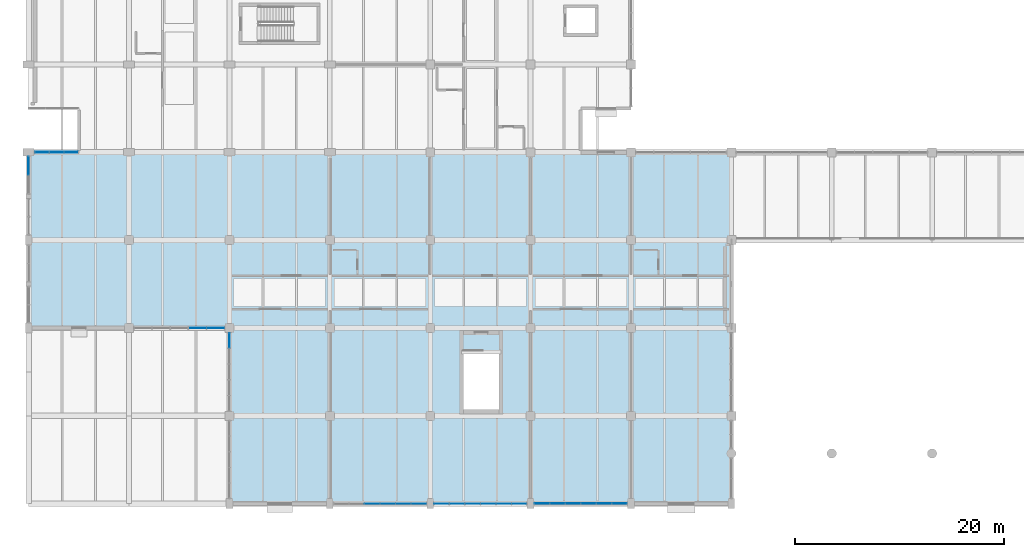
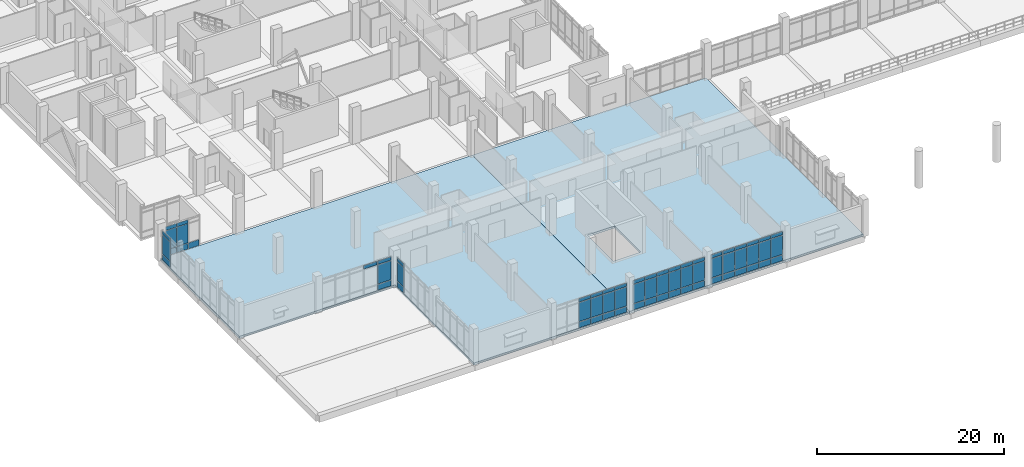
# One storey, part 86 of 152: 65 plates, 2 slabs, 7 elements without a shape of their own.
"""IFC4 building model written with IfcOpenShell, lengths in metres."""

from ifc_helpers import new_model, si_unit, direction, frame, origin, origin_2d, place, context, subcontext, project, spatial, polyline, rectangle, outline, extrude, material, layer, layer_set, type_object, element, aggregate, save


model = new_model("IFC4")

# Units and contexts
model_context = context("Model", 3, precision=1e-05, world=origin(), true_north=direction((0.0, 1.0)))
body_context = subcontext(model_context, "Body", "Model", "MODEL_VIEW")
ifc_project = project(units=[si_unit("LENGTHUNIT", "METRE"), si_unit("AREAUNIT", "SQUARE_METRE"), si_unit("VOLUMEUNIT", "CUBIC_METRE"), si_unit("PLANEANGLEUNIT", "RADIAN"), si_unit("MASSUNIT", "GRAM", prefix="KILO")], contexts=[model_context])

# Site, building, storey
site_placement = place(None, origin())
site = spatial("IfcSite", under=ifc_project, at=site_placement, CompositionType="ELEMENT")
building_placement = place(site_placement, origin())
building = spatial("IfcBuilding", under=site, at=building_placement, Name="Oolite Switchyard Hospital", CompositionType="ELEMENT")
storey_placement = place(building_placement, frame((0.0, 0.0, 5.10009765625)))
storey = spatial("IfcBuildingStorey", under=building, at=storey_placement, Name="L01", CompositionType="ELEMENT", Elevation=5.10009765625)

# Curtain wall, plates
ifc_material_1 = material(Name="Thermally broken aluminum frame with laminated impact glazing", Category="aluminium")
curtain_wall_type_1 = type_object("IfcCurtainWallType", Name="CW-UNIT-96X48", PredefinedType="USERDEFINED", material=ifc_material_1)
curtain_wall_1_placement = place(storey_placement, origin())
curtain_wall_1 = element("IfcCurtainWall", 1, at=curtain_wall_1_placement, inside=storey, type_object=curtain_wall_type_1, Name="L01 Unitised Curtain Wall 97", ObjectType="UNITISED", PredefinedType="USERDEFINED")
ifc_material_2 = material(Name="Insulated fluoropolymer-coated aluminum spandrel panel", Category="aluminium")
ifc_layer_1 = layer(ifc_material_2, 0.054931640625)
ifc_layer_set_1 = layer_set([ifc_layer_1], Name="CW-PNL-SPN55")
plate_type_1 = type_object("IfcPlateType", Name="CW-PNL-SPN55", PredefinedType="CURTAIN_PANEL", material=ifc_layer_set_1)
plate_1_placement = place(storey_placement, frame((56.497802734375, 0.0, 0.07470703125), z_axis=(0.0, 0.0, 1.0), x_axis=(-1.0, 0.0, 0.0)))
plate_1 = element("IfcPlate", 2, at=plate_1_placement, type_object=plate_type_1, Name="CW-02 panel 1.1", PredefinedType="CURTAIN_PANEL", context=body_context, shape_type="SweptSolid", body=[
    extrude(rectangle(XDim=1.374267578125, YDim=0.054931640625, at=origin_2d()), origin(), (0.0, 0.0, 1.0), 0.737548828125),
])
plate_2_placement = place(storey_placement, frame((56.497802734375, 0.0, 0.88720703125), z_axis=(0.0, 0.0, 1.0), x_axis=(-1.0, 0.0, 0.0)))
plate_2 = element("IfcPlate", 3, at=plate_2_placement, type_object=plate_type_1, Name="CW-02 panel 1.2", PredefinedType="CURTAIN_PANEL", context=body_context, shape_type="SweptSolid", body=[
    extrude(rectangle(XDim=1.374267578125, YDim=0.054931640625, at=origin_2d()), origin(), (0.0, 0.0, 1.0), 2.465087890625),
])
plate_3_placement = place(storey_placement, frame((56.497802734375, 0.0, 3.427490234375), z_axis=(0.0, 0.0, 1.0), x_axis=(-1.0, 0.0, 0.0)))
plate_3 = element("IfcPlate", 4, at=plate_3_placement, type_object=plate_type_1, Name="CW-02 panel 1.3", PredefinedType="CURTAIN_PANEL", context=body_context, shape_type="SweptSolid", body=[
    extrude(rectangle(XDim=1.374267578125, YDim=0.054931640625, at=origin_2d()), origin(), (0.0, 0.0, 1.0), 0.4375),
])
plate_4_placement = place(storey_placement, frame((55.030029296875, 0.0, 0.07470703125), z_axis=(0.0, 0.0, 1.0), x_axis=(-1.0, 0.0, 0.0)))
plate_4 = element("IfcPlate", 5, at=plate_4_placement, type_object=plate_type_1, Name="CW-02 panel 2.1", PredefinedType="CURTAIN_PANEL", context=body_context, shape_type="SweptSolid", body=[
    extrude(rectangle(XDim=1.41162109375, YDim=0.054931640625, at=origin_2d()), origin(), (0.0, 0.0, 1.0), 0.737548828125),
])
plate_5_placement = place(storey_placement, frame((55.030029296875, 0.0, 0.88720703125), z_axis=(0.0, 0.0, 1.0), x_axis=(-1.0, 0.0, 0.0)))
plate_5 = element("IfcPlate", 6, at=plate_5_placement, type_object=plate_type_1, Name="CW-02 panel 2.2", PredefinedType="CURTAIN_PANEL", context=body_context, shape_type="SweptSolid", body=[
    extrude(rectangle(XDim=1.41162109375, YDim=0.054931640625, at=origin_2d()), origin(), (0.0, 0.0, 1.0), 2.465087890625),
])
plate_6_placement = place(storey_placement, frame((55.030029296875, 0.0, 3.427490234375), z_axis=(0.0, 0.0, 1.0), x_axis=(-1.0, 0.0, 0.0)))
plate_6 = element("IfcPlate", 7, at=plate_6_placement, type_object=plate_type_1, Name="CW-02 panel 2.3", PredefinedType="CURTAIN_PANEL", context=body_context, shape_type="SweptSolid", body=[
    extrude(rectangle(XDim=1.41162109375, YDim=0.054931640625, at=origin_2d()), origin(), (0.0, 0.0, 1.0), 0.4375),
])
plate_7_placement = place(storey_placement, frame((53.543212890625, 0.0, 0.07470703125), z_axis=(0.0, 0.0, 1.0), x_axis=(-1.0, 0.0, 0.0)))
plate_7 = element("IfcPlate", 8, at=plate_7_placement, type_object=plate_type_1, Name="CW-02 panel 3.1", PredefinedType="CURTAIN_PANEL", context=body_context, shape_type="SweptSolid", body=[
    extrude(rectangle(XDim=1.41162109375, YDim=0.054931640625, at=origin_2d()), origin(), (0.0, 0.0, 1.0), 0.737548828125),
])
plate_8_placement = place(storey_placement, frame((53.543212890625, 0.0, 0.88720703125), z_axis=(0.0, 0.0, 1.0), x_axis=(-1.0, 0.0, 0.0)))
plate_8 = element("IfcPlate", 9, at=plate_8_placement, type_object=plate_type_1, Name="CW-02 panel 3.2", PredefinedType="CURTAIN_PANEL", context=body_context, shape_type="SweptSolid", body=[
    extrude(rectangle(XDim=1.41162109375, YDim=0.054931640625, at=origin_2d()), origin(), (0.0, 0.0, 1.0), 2.465087890625),
])
plate_9_placement = place(storey_placement, frame((53.543212890625, 0.0, 3.427490234375), z_axis=(0.0, 0.0, 1.0), x_axis=(-1.0, 0.0, 0.0)))
plate_9 = element("IfcPlate", 10, at=plate_9_placement, type_object=plate_type_1, Name="CW-02 panel 3.3", PredefinedType="CURTAIN_PANEL", context=body_context, shape_type="SweptSolid", body=[
    extrude(rectangle(XDim=1.41162109375, YDim=0.054931640625, at=origin_2d()), origin(), (0.0, 0.0, 1.0), 0.4375),
])
plate_10_placement = place(storey_placement, frame((52.056640625, 0.0, 0.07470703125), z_axis=(0.0, 0.0, 1.0), x_axis=(-1.0, 0.0, 0.0)))
plate_10 = element("IfcPlate", 11, at=plate_10_placement, type_object=plate_type_1, Name="CW-02 panel 4.1", PredefinedType="CURTAIN_PANEL", context=body_context, shape_type="SweptSolid", body=[
    extrude(rectangle(XDim=1.41162109375, YDim=0.054931640625, at=origin_2d()), origin(), (0.0, 0.0, 1.0), 0.737548828125),
])
plate_11_placement = place(storey_placement, frame((52.056640625, 0.0, 0.88720703125), z_axis=(0.0, 0.0, 1.0), x_axis=(-1.0, 0.0, 0.0)))
plate_11 = element("IfcPlate", 12, at=plate_11_placement, type_object=plate_type_1, Name="CW-02 panel 4.2", PredefinedType="CURTAIN_PANEL", context=body_context, shape_type="SweptSolid", body=[
    extrude(rectangle(XDim=1.41162109375, YDim=0.054931640625, at=origin_2d()), origin(), (0.0, 0.0, 1.0), 2.465087890625),
])
plate_12_placement = place(storey_placement, frame((52.056640625, 0.0, 3.427490234375), z_axis=(0.0, 0.0, 1.0), x_axis=(-1.0, 0.0, 0.0)))
plate_12 = element("IfcPlate", 13, at=plate_12_placement, type_object=plate_type_1, Name="CW-02 panel 4.3", PredefinedType="CURTAIN_PANEL", context=body_context, shape_type="SweptSolid", body=[
    extrude(rectangle(XDim=1.41162109375, YDim=0.054931640625, at=origin_2d()), origin(), (0.0, 0.0, 1.0), 0.4375),
])
plate_13_placement = place(storey_placement, frame((50.570068359375, 0.0, 0.07470703125), z_axis=(0.0, 0.0, 1.0), x_axis=(-1.0, 0.0, 0.0)))
plate_13 = element("IfcPlate", 14, at=plate_13_placement, type_object=plate_type_1, Name="CW-02 panel 5.1", PredefinedType="CURTAIN_PANEL", context=body_context, shape_type="SweptSolid", body=[
    extrude(rectangle(XDim=1.41162109375, YDim=0.054931640625, at=origin_2d()), origin(), (0.0, 0.0, 1.0), 0.737548828125),
])
plate_14_placement = place(storey_placement, frame((50.570068359375, 0.0, 0.88720703125), z_axis=(0.0, 0.0, 1.0), x_axis=(-1.0, 0.0, 0.0)))
plate_14 = element("IfcPlate", 15, at=plate_14_placement, type_object=plate_type_1, Name="CW-02 panel 5.2", PredefinedType="CURTAIN_PANEL", context=body_context, shape_type="SweptSolid", body=[
    extrude(rectangle(XDim=1.41162109375, YDim=0.054931640625, at=origin_2d()), origin(), (0.0, 0.0, 1.0), 2.465087890625),
])
plate_15_placement = place(storey_placement, frame((50.570068359375, 0.0, 3.427490234375), z_axis=(0.0, 0.0, 1.0), x_axis=(-1.0, 0.0, 0.0)))
plate_15 = element("IfcPlate", 16, at=plate_15_placement, type_object=plate_type_1, Name="CW-02 panel 5.3", PredefinedType="CURTAIN_PANEL", context=body_context, shape_type="SweptSolid", body=[
    extrude(rectangle(XDim=1.41162109375, YDim=0.054931640625, at=origin_2d()), origin(), (0.0, 0.0, 1.0), 0.4375),
])
plate_16_placement = place(storey_placement, frame((49.10205078125, 0.0, 0.07470703125), z_axis=(0.0, 0.0, 1.0), x_axis=(-1.0, 0.0, 0.0)))
plate_16 = element("IfcPlate", 17, at=plate_16_placement, type_object=plate_type_1, Name="CW-02 panel 6.1", PredefinedType="CURTAIN_PANEL", context=body_context, shape_type="SweptSolid", body=[
    extrude(rectangle(XDim=1.374267578125, YDim=0.054931640625, at=origin_2d()), origin(), (0.0, 0.0, 1.0), 0.737548828125),
])
plate_17_placement = place(storey_placement, frame((49.10205078125, 0.0, 0.88720703125), z_axis=(0.0, 0.0, 1.0), x_axis=(-1.0, 0.0, 0.0)))
plate_17 = element("IfcPlate", 18, at=plate_17_placement, type_object=plate_type_1, Name="CW-02 panel 6.2", PredefinedType="CURTAIN_PANEL", context=body_context, shape_type="SweptSolid", body=[
    extrude(rectangle(XDim=1.374267578125, YDim=0.054931640625, at=origin_2d()), origin(), (0.0, 0.0, 1.0), 2.465087890625),
])
plate_18_placement = place(storey_placement, frame((49.10205078125, 0.0, 3.427490234375), z_axis=(0.0, 0.0, 1.0), x_axis=(-1.0, 0.0, 0.0)))
plate_18 = element("IfcPlate", 19, at=plate_18_placement, type_object=plate_type_1, Name="CW-02 panel 6.3", PredefinedType="CURTAIN_PANEL", context=body_context, shape_type="SweptSolid", body=[
    extrude(rectangle(XDim=1.374267578125, YDim=0.054931640625, at=origin_2d()), origin(), (0.0, 0.0, 1.0), 0.4375),
])
aggregate(curtain_wall_1, [plate_1, plate_2, plate_3, plate_4, plate_5, plate_6, plate_7, plate_8, plate_9, plate_10, plate_11, plate_12, plate_13, plate_14, plate_15, plate_16, plate_17, plate_18])

curtain_wall_type_2 = type_object("IfcCurtainWallType", Name="CW-UNIT-84X48", PredefinedType="USERDEFINED", material=ifc_material_1)
curtain_wall_2_placement = place(storey_placement, origin())
curtain_wall_2 = element("IfcCurtainWall", 20, at=curtain_wall_2_placement, inside=storey, type_object=curtain_wall_type_2, Name="L01 Unitised Curtain Wall 108", ObjectType="UNITISED", PredefinedType="USERDEFINED")
ifc_layer_2 = layer(ifc_material_2, 0.070068359375)
ifc_layer_set_2 = layer_set([ifc_layer_2], Name="CW-PNL-SPN70")
plate_type_2 = type_object("IfcPlateType", Name="CW-PNL-SPN70", PredefinedType="CURTAIN_PANEL", material=ifc_layer_set_2)
plate_19_placement = place(storey_placement, frame((1.267578125, 33.60009765625, 0.06005859375), z_axis=(0.0, 0.0, 1.0), x_axis=(1.0, 0.0, 0.0)))
plate_19 = element("IfcPlate", 21, at=plate_19_placement, type_object=plate_type_2, Name="CW-07 panel 1.1", PredefinedType="CURTAIN_PANEL", context=body_context, shape_type="SweptSolid", body=[
    extrude(rectangle(XDim=1.31494140625, YDim=0.070068359375, at=origin_2d()), origin(), (0.0, 0.0, 1.0), 0.760009765625),
])
plate_20_placement = place(storey_placement, frame((1.267578125, 33.60009765625, 0.8798828125), z_axis=(0.0, 0.0, 1.0), x_axis=(1.0, 0.0, 0.0)))
plate_20 = element("IfcPlate", 22, at=plate_20_placement, type_object=plate_type_2, Name="CW-07 panel 1.2", PredefinedType="CURTAIN_PANEL", context=body_context, shape_type="SweptSolid", body=[
    extrude(rectangle(XDim=1.31494140625, YDim=0.070068359375, at=origin_2d()), origin(), (0.0, 0.0, 1.0), 2.47998046875),
])
plate_21_placement = place(storey_placement, frame((1.267578125, 33.60009765625, 3.419921875), z_axis=(0.0, 0.0, 1.0), x_axis=(1.0, 0.0, 0.0)))
plate_21 = element("IfcPlate", 23, at=plate_21_placement, type_object=plate_type_2, Name="CW-07 panel 1.3", PredefinedType="CURTAIN_PANEL", context=body_context, shape_type="SweptSolid", body=[
    extrude(rectangle(XDim=1.31494140625, YDim=0.070068359375, at=origin_2d()), origin(), (0.0, 0.0, 1.0), 0.4599609375),
])
plate_22_placement = place(storey_placement, frame((2.669921875, 33.60009765625, 0.06005859375), z_axis=(0.0, 0.0, 1.0), x_axis=(1.0, 0.0, 0.0)))
plate_22 = element("IfcPlate", 24, at=plate_22_placement, type_object=plate_type_2, Name="CW-07 panel 2.1", PredefinedType="CURTAIN_PANEL", context=body_context, shape_type="SweptSolid", body=[
    extrude(rectangle(XDim=1.35009765625, YDim=0.070068359375, at=origin_2d()), origin(), (0.0, 0.0, 1.0), 0.760009765625),
])
plate_23_placement = place(storey_placement, frame((2.669921875, 33.60009765625, 0.8798828125), z_axis=(0.0, 0.0, 1.0), x_axis=(1.0, 0.0, 0.0)))
plate_23 = element("IfcPlate", 25, at=plate_23_placement, type_object=plate_type_2, Name="CW-07 panel 2.2", PredefinedType="CURTAIN_PANEL", context=body_context, shape_type="SweptSolid", body=[
    extrude(rectangle(XDim=1.35009765625, YDim=0.070068359375, at=origin_2d()), origin(), (0.0, 0.0, 1.0), 2.47998046875),
])
plate_24_placement = place(storey_placement, frame((2.669921875, 33.60009765625, 3.419921875), z_axis=(0.0, 0.0, 1.0), x_axis=(1.0, 0.0, 0.0)))
plate_24 = element("IfcPlate", 26, at=plate_24_placement, type_object=plate_type_2, Name="CW-07 panel 2.3", PredefinedType="CURTAIN_PANEL", context=body_context, shape_type="SweptSolid", body=[
    extrude(rectangle(XDim=1.35009765625, YDim=0.070068359375, at=origin_2d()), origin(), (0.0, 0.0, 1.0), 0.4599609375),
])
plate_25_placement = place(storey_placement, frame((4.072509765625, 33.60009765625, 0.06005859375), z_axis=(0.0, 0.0, 1.0), x_axis=(1.0, 0.0, 0.0)))
plate_25 = element("IfcPlate", 27, at=plate_25_placement, type_object=plate_type_2, Name="CW-07 panel 3.1", PredefinedType="CURTAIN_PANEL", context=body_context, shape_type="SweptSolid", body=[
    extrude(rectangle(XDim=1.31494140625, YDim=0.070068359375, at=origin_2d()), origin(), (0.0, 0.0, 1.0), 0.760009765625),
])
aggregate(curtain_wall_2, [plate_19, plate_20, plate_21, plate_22, plate_23, plate_24, plate_25])

curtain_wall_3_placement = place(storey_placement, origin())
curtain_wall_3 = element("IfcCurtainWall", 28, at=curtain_wall_3_placement, inside=storey, type_object=curtain_wall_type_1, Name="L01 Unitised Curtain Wall 95", ObjectType="UNITISED", PredefinedType="USERDEFINED")
ifc_material_3 = material(Name="Laminated hurricane-impact insulated glazing unit", Category="glass")
ifc_layer_3 = layer(ifc_material_3, 0.028076171875)
ifc_layer_set_3 = layer_set([ifc_layer_3], Name="CW-PNL-VIS28")
plate_type_3 = type_object("IfcPlateType", Name="CW-PNL-VIS28", PredefinedType="CURTAIN_PANEL", material=ifc_layer_set_3)
plate_26_placement = place(storey_placement, frame((37.3017578125, 0.0, 0.07470703125), z_axis=(0.0, 0.0, 1.0), x_axis=(-1.0, 0.0, 0.0)))
plate_26 = element("IfcPlate", 29, at=plate_26_placement, type_object=plate_type_3, Name="CW-02 panel 1.1", PredefinedType="CURTAIN_PANEL", context=body_context, shape_type="SweptSolid", body=[
    extrude(rectangle(XDim=1.396728515625, YDim=0.028076171875, at=origin_2d()), origin(), (0.0, 0.0, 1.0), 0.737548828125),
])
plate_27_placement = place(storey_placement, frame((37.3017578125, 0.0, 0.88720703125), z_axis=(0.0, 0.0, 1.0), x_axis=(-1.0, 0.0, 0.0)))
plate_27 = element("IfcPlate", 30, at=plate_27_placement, type_object=plate_type_3, Name="CW-02 panel 1.2", PredefinedType="CURTAIN_PANEL", context=body_context, shape_type="SweptSolid", body=[
    extrude(rectangle(XDim=1.396728515625, YDim=0.028076171875, at=origin_2d()), origin(), (0.0, 0.0, 1.0), 2.465087890625),
])
plate_28_placement = place(storey_placement, frame((37.3017578125, 0.0, 3.427490234375), z_axis=(0.0, 0.0, 1.0), x_axis=(-1.0, 0.0, 0.0)))
plate_28 = element("IfcPlate", 31, at=plate_28_placement, type_object=plate_type_3, Name="CW-02 panel 1.3", PredefinedType="CURTAIN_PANEL", context=body_context, shape_type="SweptSolid", body=[
    extrude(rectangle(XDim=1.396728515625, YDim=0.028076171875, at=origin_2d()), origin(), (0.0, 0.0, 1.0), 0.4375),
])
plate_29_placement = place(storey_placement, frame((35.830078125, 0.0, 0.07470703125), z_axis=(0.0, 0.0, 1.0), x_axis=(-1.0, 0.0, 0.0)))
plate_29 = element("IfcPlate", 32, at=plate_29_placement, type_object=plate_type_3, Name="CW-02 panel 2.1", PredefinedType="CURTAIN_PANEL", context=body_context, shape_type="SweptSolid", body=[
    extrude(rectangle(XDim=1.4267578125, YDim=0.028076171875, at=origin_2d()), origin(), (0.0, 0.0, 1.0), 0.737548828125),
])
plate_30_placement = place(storey_placement, frame((35.830078125, 0.0, 0.88720703125), z_axis=(0.0, 0.0, 1.0), x_axis=(-1.0, 0.0, 0.0)))
plate_30 = element("IfcPlate", 33, at=plate_30_placement, type_object=plate_type_3, Name="CW-02 panel 2.2", PredefinedType="CURTAIN_PANEL", context=body_context, shape_type="SweptSolid", body=[
    extrude(rectangle(XDim=1.4267578125, YDim=0.028076171875, at=origin_2d()), origin(), (0.0, 0.0, 1.0), 2.465087890625),
])
plate_31_placement = place(storey_placement, frame((35.830078125, 0.0, 3.427490234375), z_axis=(0.0, 0.0, 1.0), x_axis=(-1.0, 0.0, 0.0)))
plate_31 = element("IfcPlate", 34, at=plate_31_placement, type_object=plate_type_3, Name="CW-02 panel 2.3", PredefinedType="CURTAIN_PANEL", context=body_context, shape_type="SweptSolid", body=[
    extrude(rectangle(XDim=1.4267578125, YDim=0.028076171875, at=origin_2d()), origin(), (0.0, 0.0, 1.0), 0.4375),
])
plate_32_placement = place(storey_placement, frame((34.34326171875, 0.0, 0.07470703125), z_axis=(0.0, 0.0, 1.0), x_axis=(-1.0, 0.0, 0.0)))
plate_32 = element("IfcPlate", 35, at=plate_32_placement, type_object=plate_type_3, Name="CW-02 panel 3.1", PredefinedType="CURTAIN_PANEL", context=body_context, shape_type="SweptSolid", body=[
    extrude(rectangle(XDim=1.4267578125, YDim=0.028076171875, at=origin_2d()), origin(), (0.0, 0.0, 1.0), 0.737548828125),
])
plate_33_placement = place(storey_placement, frame((34.34326171875, 0.0, 0.88720703125), z_axis=(0.0, 0.0, 1.0), x_axis=(-1.0, 0.0, 0.0)))
plate_33 = element("IfcPlate", 36, at=plate_33_placement, type_object=plate_type_3, Name="CW-02 panel 3.2", PredefinedType="CURTAIN_PANEL", context=body_context, shape_type="SweptSolid", body=[
    extrude(rectangle(XDim=1.4267578125, YDim=0.028076171875, at=origin_2d()), origin(), (0.0, 0.0, 1.0), 2.465087890625),
])
plate_34_placement = place(storey_placement, frame((34.34326171875, 0.0, 3.427490234375), z_axis=(0.0, 0.0, 1.0), x_axis=(-1.0, 0.0, 0.0)))
plate_34 = element("IfcPlate", 37, at=plate_34_placement, type_object=plate_type_3, Name="CW-02 panel 3.3", PredefinedType="CURTAIN_PANEL", context=body_context, shape_type="SweptSolid", body=[
    extrude(rectangle(XDim=1.4267578125, YDim=0.028076171875, at=origin_2d()), origin(), (0.0, 0.0, 1.0), 0.4375),
])
plate_35_placement = place(storey_placement, frame((32.856689453125, 0.0, 0.07470703125), z_axis=(0.0, 0.0, 1.0), x_axis=(-1.0, 0.0, 0.0)))
plate_35 = element("IfcPlate", 38, at=plate_35_placement, type_object=plate_type_3, Name="CW-02 panel 4.1", PredefinedType="CURTAIN_PANEL", context=body_context, shape_type="SweptSolid", body=[
    extrude(rectangle(XDim=1.4267578125, YDim=0.028076171875, at=origin_2d()), origin(), (0.0, 0.0, 1.0), 0.737548828125),
])
plate_36_placement = place(storey_placement, frame((32.856689453125, 0.0, 0.88720703125), z_axis=(0.0, 0.0, 1.0), x_axis=(-1.0, 0.0, 0.0)))
plate_36 = element("IfcPlate", 39, at=plate_36_placement, type_object=plate_type_3, Name="CW-02 panel 4.2", PredefinedType="CURTAIN_PANEL", context=body_context, shape_type="SweptSolid", body=[
    extrude(rectangle(XDim=1.4267578125, YDim=0.028076171875, at=origin_2d()), origin(), (0.0, 0.0, 1.0), 2.465087890625),
])
plate_37_placement = place(storey_placement, frame((32.856689453125, 0.0, 3.427490234375), z_axis=(0.0, 0.0, 1.0), x_axis=(-1.0, 0.0, 0.0)))
plate_37 = element("IfcPlate", 40, at=plate_37_placement, type_object=plate_type_3, Name="CW-02 panel 4.3", PredefinedType="CURTAIN_PANEL", context=body_context, shape_type="SweptSolid", body=[
    extrude(rectangle(XDim=1.4267578125, YDim=0.028076171875, at=origin_2d()), origin(), (0.0, 0.0, 1.0), 0.4375),
])
aggregate(curtain_wall_3, [plate_26, plate_27, plate_28, plate_29, plate_30, plate_31, plate_32, plate_33, plate_34, plate_35, plate_36, plate_37])

curtain_wall_4_placement = place(storey_placement, origin())
curtain_wall_4 = element("IfcCurtainWall", 41, at=curtain_wall_4_placement, inside=storey, type_object=curtain_wall_type_1, Name="L01 Unitised Curtain Wall 96", ObjectType="UNITISED", PredefinedType="USERDEFINED")
ifc_layer_4 = layer(ifc_material_3, 0.035888671875)
ifc_layer_set_4 = layer_set([ifc_layer_4], Name="CW-PNL-VIS36")
plate_type_4 = type_object("IfcPlateType", Name="CW-PNL-VIS36", PredefinedType="CURTAIN_PANEL", material=ifc_layer_set_4)
plate_38_placement = place(storey_placement, frame((46.899169921875, 0.0, 0.06005859375), z_axis=(0.0, 0.0, 1.0), x_axis=(-1.0, 0.0, 0.0)))
plate_38 = element("IfcPlate", 42, at=plate_38_placement, type_object=plate_type_4, Name="CW-02 panel 1.1", PredefinedType="CURTAIN_PANEL", context=body_context, shape_type="SweptSolid", body=[
    extrude(rectangle(XDim=1.381591796875, YDim=0.035888671875, at=origin_2d()), origin(), (0.0, 0.0, 1.0), 0.760009765625),
])
plate_39_placement = place(storey_placement, frame((46.899169921875, 0.0, 0.8798828125), z_axis=(0.0, 0.0, 1.0), x_axis=(-1.0, 0.0, 0.0)))
plate_39 = element("IfcPlate", 43, at=plate_39_placement, type_object=plate_type_4, Name="CW-02 panel 1.2", PredefinedType="CURTAIN_PANEL", context=body_context, shape_type="SweptSolid", body=[
    extrude(rectangle(XDim=1.381591796875, YDim=0.035888671875, at=origin_2d()), origin(), (0.0, 0.0, 1.0), 2.47998046875),
])
plate_40_placement = place(storey_placement, frame((46.899169921875, 0.0, 3.419921875), z_axis=(0.0, 0.0, 1.0), x_axis=(-1.0, 0.0, 0.0)))
plate_40 = element("IfcPlate", 44, at=plate_40_placement, type_object=plate_type_4, Name="CW-02 panel 1.3", PredefinedType="CURTAIN_PANEL", context=body_context, shape_type="SweptSolid", body=[
    extrude(rectangle(XDim=1.381591796875, YDim=0.035888671875, at=origin_2d()), origin(), (0.0, 0.0, 1.0), 0.4599609375),
])
plate_41_placement = place(storey_placement, frame((45.429931640625, 0.0, 0.06005859375), z_axis=(0.0, 0.0, 1.0), x_axis=(-1.0, 0.0, 0.0)))
plate_41 = element("IfcPlate", 45, at=plate_41_placement, type_object=plate_type_4, Name="CW-02 panel 2.1", PredefinedType="CURTAIN_PANEL", context=body_context, shape_type="SweptSolid", body=[
    extrude(rectangle(XDim=1.416748046875, YDim=0.035888671875, at=origin_2d()), origin(), (0.0, 0.0, 1.0), 0.760009765625),
])
plate_42_placement = place(storey_placement, frame((45.429931640625, 0.0, 0.8798828125), z_axis=(0.0, 0.0, 1.0), x_axis=(-1.0, 0.0, 0.0)))
plate_42 = element("IfcPlate", 46, at=plate_42_placement, type_object=plate_type_4, Name="CW-02 panel 2.2", PredefinedType="CURTAIN_PANEL", context=body_context, shape_type="SweptSolid", body=[
    extrude(rectangle(XDim=1.416748046875, YDim=0.035888671875, at=origin_2d()), origin(), (0.0, 0.0, 1.0), 2.47998046875),
])
plate_43_placement = place(storey_placement, frame((45.429931640625, 0.0, 3.419921875), z_axis=(0.0, 0.0, 1.0), x_axis=(-1.0, 0.0, 0.0)))
plate_43 = element("IfcPlate", 47, at=plate_43_placement, type_object=plate_type_4, Name="CW-02 panel 2.3", PredefinedType="CURTAIN_PANEL", context=body_context, shape_type="SweptSolid", body=[
    extrude(rectangle(XDim=1.416748046875, YDim=0.035888671875, at=origin_2d()), origin(), (0.0, 0.0, 1.0), 0.4599609375),
])
plate_44_placement = place(storey_placement, frame((43.943359375, 0.0, 0.06005859375), z_axis=(0.0, 0.0, 1.0), x_axis=(-1.0, 0.0, 0.0)))
plate_44 = element("IfcPlate", 48, at=plate_44_placement, type_object=plate_type_4, Name="CW-02 panel 3.1", PredefinedType="CURTAIN_PANEL", context=body_context, shape_type="SweptSolid", body=[
    extrude(rectangle(XDim=1.416748046875, YDim=0.035888671875, at=origin_2d()), origin(), (0.0, 0.0, 1.0), 0.760009765625),
])
plate_45_placement = place(storey_placement, frame((43.943359375, 0.0, 0.8798828125), z_axis=(0.0, 0.0, 1.0), x_axis=(-1.0, 0.0, 0.0)))
plate_45 = element("IfcPlate", 49, at=plate_45_placement, type_object=plate_type_4, Name="CW-02 panel 3.2", PredefinedType="CURTAIN_PANEL", context=body_context, shape_type="SweptSolid", body=[
    extrude(rectangle(XDim=1.416748046875, YDim=0.035888671875, at=origin_2d()), origin(), (0.0, 0.0, 1.0), 2.47998046875),
])
plate_46_placement = place(storey_placement, frame((43.943359375, 0.0, 3.419921875), z_axis=(0.0, 0.0, 1.0), x_axis=(-1.0, 0.0, 0.0)))
plate_46 = element("IfcPlate", 50, at=plate_46_placement, type_object=plate_type_4, Name="CW-02 panel 3.3", PredefinedType="CURTAIN_PANEL", context=body_context, shape_type="SweptSolid", body=[
    extrude(rectangle(XDim=1.416748046875, YDim=0.035888671875, at=origin_2d()), origin(), (0.0, 0.0, 1.0), 0.4599609375),
])
plate_47_placement = place(storey_placement, frame((42.456787109375, 0.0, 0.06005859375), z_axis=(0.0, 0.0, 1.0), x_axis=(-1.0, 0.0, 0.0)))
plate_47 = element("IfcPlate", 51, at=plate_47_placement, type_object=plate_type_4, Name="CW-02 panel 4.1", PredefinedType="CURTAIN_PANEL", context=body_context, shape_type="SweptSolid", body=[
    extrude(rectangle(XDim=1.416748046875, YDim=0.035888671875, at=origin_2d()), origin(), (0.0, 0.0, 1.0), 0.760009765625),
])
plate_48_placement = place(storey_placement, frame((42.456787109375, 0.0, 0.8798828125), z_axis=(0.0, 0.0, 1.0), x_axis=(-1.0, 0.0, 0.0)))
plate_48 = element("IfcPlate", 52, at=plate_48_placement, type_object=plate_type_4, Name="CW-02 panel 4.2", PredefinedType="CURTAIN_PANEL", context=body_context, shape_type="SweptSolid", body=[
    extrude(rectangle(XDim=1.416748046875, YDim=0.035888671875, at=origin_2d()), origin(), (0.0, 0.0, 1.0), 2.47998046875),
])
plate_49_placement = place(storey_placement, frame((42.456787109375, 0.0, 3.419921875), z_axis=(0.0, 0.0, 1.0), x_axis=(-1.0, 0.0, 0.0)))
plate_49 = element("IfcPlate", 53, at=plate_49_placement, type_object=plate_type_4, Name="CW-02 panel 4.3", PredefinedType="CURTAIN_PANEL", context=body_context, shape_type="SweptSolid", body=[
    extrude(rectangle(XDim=1.416748046875, YDim=0.035888671875, at=origin_2d()), origin(), (0.0, 0.0, 1.0), 0.4599609375),
])
plate_50_placement = place(storey_placement, frame((40.969970703125, 0.0, 0.06005859375), z_axis=(0.0, 0.0, 1.0), x_axis=(-1.0, 0.0, 0.0)))
plate_50 = element("IfcPlate", 54, at=plate_50_placement, type_object=plate_type_4, Name="CW-02 panel 5.1", PredefinedType="CURTAIN_PANEL", context=body_context, shape_type="SweptSolid", body=[
    extrude(rectangle(XDim=1.416748046875, YDim=0.035888671875, at=origin_2d()), origin(), (0.0, 0.0, 1.0), 0.760009765625),
])
plate_51_placement = place(storey_placement, frame((40.969970703125, 0.0, 0.8798828125), z_axis=(0.0, 0.0, 1.0), x_axis=(-1.0, 0.0, 0.0)))
plate_51 = element("IfcPlate", 55, at=plate_51_placement, type_object=plate_type_4, Name="CW-02 panel 5.2", PredefinedType="CURTAIN_PANEL", context=body_context, shape_type="SweptSolid", body=[
    extrude(rectangle(XDim=1.416748046875, YDim=0.035888671875, at=origin_2d()), origin(), (0.0, 0.0, 1.0), 2.47998046875),
])
plate_52_placement = place(storey_placement, frame((40.969970703125, 0.0, 3.419921875), z_axis=(0.0, 0.0, 1.0), x_axis=(-1.0, 0.0, 0.0)))
plate_52 = element("IfcPlate", 56, at=plate_52_placement, type_object=plate_type_4, Name="CW-02 panel 5.3", PredefinedType="CURTAIN_PANEL", context=body_context, shape_type="SweptSolid", body=[
    extrude(rectangle(XDim=1.416748046875, YDim=0.035888671875, at=origin_2d()), origin(), (0.0, 0.0, 1.0), 0.4599609375),
])
plate_53_placement = place(storey_placement, frame((39.500732421875, 0.0, 0.06005859375), z_axis=(0.0, 0.0, 1.0), x_axis=(-1.0, 0.0, 0.0)))
plate_53 = element("IfcPlate", 57, at=plate_53_placement, type_object=plate_type_4, Name="CW-02 panel 6.1", PredefinedType="CURTAIN_PANEL", context=body_context, shape_type="SweptSolid", body=[
    extrude(rectangle(XDim=1.381591796875, YDim=0.035888671875, at=origin_2d()), origin(), (0.0, 0.0, 1.0), 0.760009765625),
])
plate_54_placement = place(storey_placement, frame((39.500732421875, 0.0, 0.8798828125), z_axis=(0.0, 0.0, 1.0), x_axis=(-1.0, 0.0, 0.0)))
plate_54 = element("IfcPlate", 58, at=plate_54_placement, type_object=plate_type_4, Name="CW-02 panel 6.2", PredefinedType="CURTAIN_PANEL", context=body_context, shape_type="SweptSolid", body=[
    extrude(rectangle(XDim=1.381591796875, YDim=0.035888671875, at=origin_2d()), origin(), (0.0, 0.0, 1.0), 2.47998046875),
])
plate_55_placement = place(storey_placement, frame((39.500732421875, 0.0, 3.419921875), z_axis=(0.0, 0.0, 1.0), x_axis=(-1.0, 0.0, 0.0)))
plate_55 = element("IfcPlate", 59, at=plate_55_placement, type_object=plate_type_4, Name="CW-02 panel 6.3", PredefinedType="CURTAIN_PANEL", context=body_context, shape_type="SweptSolid", body=[
    extrude(rectangle(XDim=1.381591796875, YDim=0.035888671875, at=origin_2d()), origin(), (0.0, 0.0, 1.0), 0.4599609375),
])
aggregate(curtain_wall_4, [plate_38, plate_39, plate_40, plate_41, plate_42, plate_43, plate_44, plate_45, plate_46, plate_47, plate_48, plate_49, plate_50, plate_51, plate_52, plate_53, plate_54, plate_55])

curtain_wall_5_placement = place(storey_placement, origin())
curtain_wall_5 = element("IfcCurtainWall", 60, at=curtain_wall_5_placement, inside=storey, type_object=curtain_wall_type_1, Name="L01 Unitised Curtain Wall 103", ObjectType="UNITISED", PredefinedType="USERDEFINED")
plate_56_placement = place(storey_placement, frame((17.869140625, 16.800048828125, 0.07470703125), z_axis=(0.0, 0.0, 1.0), x_axis=(-1.0, 0.0, 0.0)))
plate_56 = element("IfcPlate", 61, at=plate_56_placement, type_object=plate_type_4, Name="CW-02 panel 1.1", PredefinedType="CURTAIN_PANEL", context=body_context, shape_type="SweptSolid", body=[
    extrude(rectangle(XDim=1.631591796875, YDim=0.035888671875, at=origin_2d()), origin(), (0.0, 0.0, 1.0), 0.737548828125),
])
plate_57_placement = place(storey_placement, frame((17.869140625, 16.800048828125, 0.88720703125), z_axis=(0.0, 0.0, 1.0), x_axis=(-1.0, 0.0, 0.0)))
plate_57 = element("IfcPlate", 62, at=plate_57_placement, type_object=plate_type_4, Name="CW-02 panel 1.2", PredefinedType="CURTAIN_PANEL", context=body_context, shape_type="SweptSolid", body=[
    extrude(rectangle(XDim=1.631591796875, YDim=0.035888671875, at=origin_2d()), origin(), (0.0, 0.0, 1.0), 2.465087890625),
])
plate_58_placement = place(storey_placement, frame((17.869140625, 16.800048828125, 3.427490234375), z_axis=(0.0, 0.0, 1.0), x_axis=(-1.0, 0.0, 0.0)))
plate_58 = element("IfcPlate", 63, at=plate_58_placement, type_object=plate_type_4, Name="CW-02 panel 1.3", PredefinedType="CURTAIN_PANEL", context=body_context, shape_type="SweptSolid", body=[
    extrude(rectangle(XDim=1.631591796875, YDim=0.035888671875, at=origin_2d()), origin(), (0.0, 0.0, 1.0), 0.4375),
])
plate_59_placement = place(storey_placement, frame((16.14404296875, 16.800048828125, 3.427490234375), z_axis=(0.0, 0.0, 1.0), x_axis=(-1.0, 0.0, 0.0)))
plate_59 = element("IfcPlate", 64, at=plate_59_placement, type_object=plate_type_4, Name="CW-02 panel 2.3", PredefinedType="CURTAIN_PANEL", context=body_context, shape_type="SweptSolid", body=[
    extrude(rectangle(XDim=1.6689453125, YDim=0.035888671875, at=origin_2d()), origin(), (0.0, 0.0, 1.0), 0.4375),
])
aggregate(curtain_wall_5, [plate_56, plate_57, plate_58, plate_59])

curtain_wall_6_placement = place(storey_placement, origin())
curtain_wall_6 = element("IfcCurtainWall", 65, at=curtain_wall_6_placement, inside=storey, type_object=curtain_wall_type_2, Name="L01 Unitised Curtain Wall 163", ObjectType="UNITISED", PredefinedType="USERDEFINED")
plate_60_placement = place(storey_placement, frame((0.0, 32.311279296875, 0.07470703125), z_axis=(0.0, 0.0, 1.0), x_axis=(0.0, 1.0, 0.0)))
plate_60 = element("IfcPlate", 66, at=plate_60_placement, type_object=plate_type_4, Name="CW-07 panel 2.1", PredefinedType="CURTAIN_PANEL", context=body_context, shape_type="SweptSolid", body=[
    extrude(rectangle(XDim=1.697509765625, YDim=0.035888671875, at=origin_2d()), origin(), (0.0, 0.0, 1.0), 0.737548828125),
])
plate_61_placement = place(storey_placement, frame((0.0, 32.311279296875, 0.88720703125), z_axis=(0.0, 0.0, 1.0), x_axis=(0.0, 1.0, 0.0)))
plate_61 = element("IfcPlate", 67, at=plate_61_placement, type_object=plate_type_4, Name="CW-07 panel 2.2", PredefinedType="CURTAIN_PANEL", context=body_context, shape_type="SweptSolid", body=[
    extrude(rectangle(XDim=1.697509765625, YDim=0.035888671875, at=origin_2d()), origin(), (0.0, 0.0, 1.0), 2.465087890625),
])
plate_62_placement = place(storey_placement, frame((0.0, 32.311279296875, 3.427490234375), z_axis=(0.0, 0.0, 1.0), x_axis=(0.0, 1.0, 0.0)))
plate_62 = element("IfcPlate", 68, at=plate_62_placement, type_object=plate_type_4, Name="CW-07 panel 2.3", PredefinedType="CURTAIN_PANEL", context=body_context, shape_type="SweptSolid", body=[
    extrude(rectangle(XDim=1.697509765625, YDim=0.035888671875, at=origin_2d()), origin(), (0.0, 0.0, 1.0), 0.4375),
])
aggregate(curtain_wall_6, [plate_60, plate_61, plate_62])

curtain_wall_7_placement = place(storey_placement, origin())
curtain_wall_7 = element("IfcCurtainWall", 69, at=curtain_wall_7_placement, inside=storey, type_object=curtain_wall_type_2, Name="L01 Unitised Curtain Wall 168", ObjectType="UNITISED", PredefinedType="USERDEFINED")
plate_63_placement = place(storey_placement, frame((19.199951171875, 15.590576171875, 0.06005859375), z_axis=(0.0, 0.0, 1.0), x_axis=(0.0, 1.0, 0.0)))
plate_63 = element("IfcPlate", 70, at=plate_63_placement, type_object=plate_type_4, Name="CW-07 panel 5.1", PredefinedType="CURTAIN_PANEL", context=body_context, shape_type="SweptSolid", body=[
    extrude(rectangle(XDim=1.39892578125, YDim=0.035888671875, at=origin_2d()), origin(), (0.0, 0.0, 1.0), 0.760009765625),
])
plate_64_placement = place(storey_placement, frame((19.199951171875, 15.590576171875, 0.8798828125), z_axis=(0.0, 0.0, 1.0), x_axis=(0.0, 1.0, 0.0)))
plate_64 = element("IfcPlate", 71, at=plate_64_placement, type_object=plate_type_4, Name="CW-07 panel 5.2", PredefinedType="CURTAIN_PANEL", context=body_context, shape_type="SweptSolid", body=[
    extrude(rectangle(XDim=1.39892578125, YDim=0.035888671875, at=origin_2d()), origin(), (0.0, 0.0, 1.0), 2.47998046875),
])
plate_65_placement = place(storey_placement, frame((19.199951171875, 15.590576171875, 3.419921875), z_axis=(0.0, 0.0, 1.0), x_axis=(0.0, 1.0, 0.0)))
plate_65 = element("IfcPlate", 72, at=plate_65_placement, type_object=plate_type_4, Name="CW-07 panel 5.3", PredefinedType="CURTAIN_PANEL", context=body_context, shape_type="SweptSolid", body=[
    extrude(rectangle(XDim=1.39892578125, YDim=0.035888671875, at=origin_2d()), origin(), (0.0, 0.0, 1.0), 0.4599609375),
])
aggregate(curtain_wall_7, [plate_63, plate_64, plate_65])

# Slabs
ifc_material_4 = material(Name="Concrete C40/50", Category="concrete")
ifc_layer_5 = layer(ifc_material_4, 0.27490234375)
ifc_layer_set_5 = layer_set([ifc_layer_5], Name="SLB-FLR-275")
slab_type = type_object("IfcSlabType", Name="SLB-FLR-275", PredefinedType="FLOOR", material=ifc_layer_set_5)
slab_1_placement = place(storey_placement, frame((0.0, 0.0, -0.275146484375)))
element("IfcSlab", 73, at=slab_1_placement, inside=storey, type_object=slab_type, Name="L01 V2 Slab V2A", PredefinedType="FLOOR", context=body_context, shape_type="SweptSolid", body=[
    extrude(outline(polyline([(19.199951171875, 0.0), (38.39990234375, 0.0), (38.39990234375, 33.60009765625), (0.0, 33.60009765625), (0.0, 16.800048828125), (19.199951171875, 16.800048828125), (19.199951171875, 0.0)])), origin(), (0.0, 0.0, 1.0), 0.275146484375),
])
slab_2_placement = place(storey_placement, frame((0.0, 0.0, -0.275146484375)))
element("IfcSlab", 74, at=slab_2_placement, inside=storey, type_object=slab_type, Name="L01 V2 Slab V2B", PredefinedType="FLOOR", context=body_context, shape_type="SweptSolid", body=[
    extrude(outline(polyline([(38.39990234375, 0.0), (67.199951171875, 0.0), (67.199951171875, 33.60009765625), (38.39990234375, 33.60009765625), (38.39990234375, 0.0)]), holes=[polyline([(41.60009765625, 14.590087890625), (41.60009765625, 9.0), (44.9599609375, 9.0), (44.9599609375, 14.590087890625), (41.60009765625, 14.590087890625)])]), origin(), (0.0, 0.0, 1.0), 0.275146484375),
])

save(model, "model.ifc")
